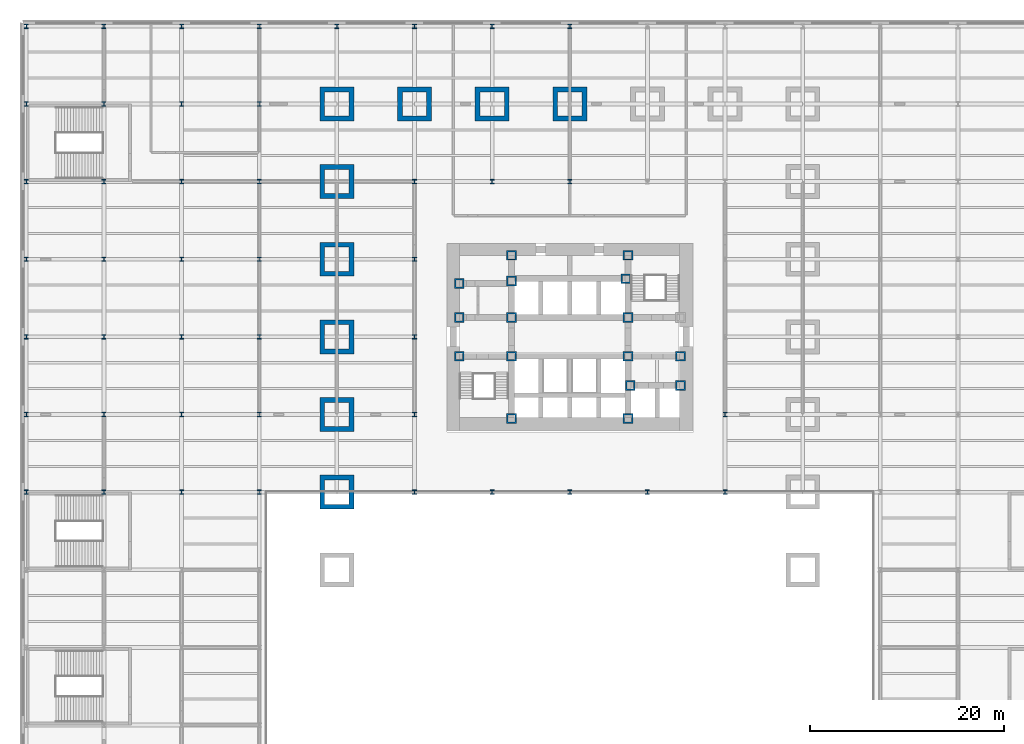
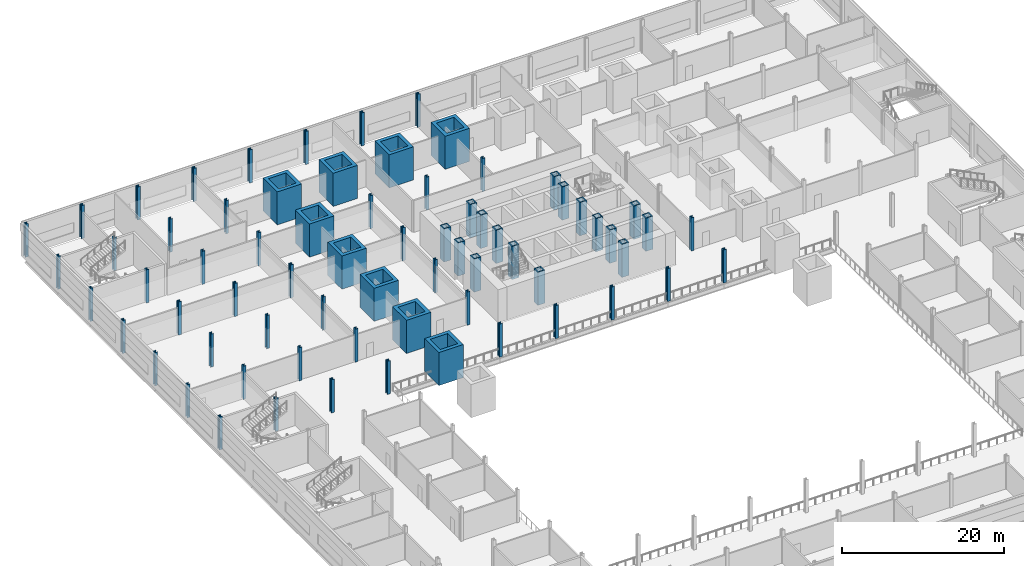
# One storey, part 3 of 18: 69 columns.
"""IFC4 building model written with IfcOpenShell, lengths in metres."""

from ifc_helpers import new_model, si_unit, direction, frame, origin, origin_2d, place, context, subcontext, project, spatial, hollow_rectangle, i_section, extrude, material, material_profile, profile_set, type_object, element, save


model = new_model("IFC4")

# Units and contexts
model_context = context("Model", 3, precision=1e-05, world=origin(), true_north=direction((0.0, 1.0)))
body_context = subcontext(model_context, "Body", "Model", "MODEL_VIEW")
ifc_project = project(units=[si_unit("LENGTHUNIT", "METRE"), si_unit("AREAUNIT", "SQUARE_METRE"), si_unit("VOLUMEUNIT", "CUBIC_METRE"), si_unit("PLANEANGLEUNIT", "RADIAN"), si_unit("MASSUNIT", "GRAM", prefix="KILO")], contexts=[model_context])

# Site, building, storey
site_placement = place(None, origin())
site = spatial("IfcSite", under=ifc_project, at=site_placement, CompositionType="ELEMENT")
building_placement = place(site_placement, origin())
building = spatial("IfcBuilding", under=site, at=building_placement, Name="Daluyong Arena Tower", CompositionType="ELEMENT")
storey_placement = place(building_placement, frame((0.0, 0.0, 4.89990234375)))
storey = spatial("IfcBuildingStorey", under=building, at=storey_placement, Name="L01", CompositionType="ELEMENT", Elevation=4.89990234375)

# Columns
ifc_material_1 = material(Name="Steel ASTM A588 Grade 50", Category="steel")
ifc_material_profile_1 = material_profile(ifc_material_1, hollow_rectangle(XDim=1.0, YDim=1.0, WallThickness=0.15, at=origin_2d()))
ifc_profile_set_1 = profile_set([ifc_material_profile_1], Name="Steel ASTM A588 Grade 50")
column_type_1 = type_object("IfcColumnType", Name="Core boundary column BX1000X150", PredefinedType="COLUMN", material=ifc_profile_set_1)
for number, where, z_axis, x_axis, name in (
    (1, (44.60009765625, 78.0, 0.0), (0.0, 0.0, 1.0), (1.0, 0.0, 0.0), "core boundary column BC1"),
    (2, (44.60009765625, 82.0, 0.0), (0.0, 0.0, 1.0), (1.0, 0.0, 0.0), "core boundary column BC1"),
    (3, (44.60009765625, 85.5, 0.0), (0.0, 0.0, 1.0), (1.0, 0.0, 0.0), "core boundary column BC1"),
    (4, (50.0, 71.60009765625, 0.0), (0.0, 0.0, 1.0), (1.0, 0.0, 0.0), "core boundary column BC1"),
    (5, (50.0, 78.0, 0.0), (0.0, 0.0, 1.0), (1.0, 0.0, 0.0), "core boundary column BC1"),
    (6, (50.0, 82.0, 0.0), (0.0, 0.0, 1.0), (1.0, 0.0, 0.0), "core boundary column BC1"),
    (7, (50.0, 85.75, 0.0), (0.0, 0.0, 1.0), (1.0, 0.0, 0.0), "core boundary column BC1"),
    (8, (50.0, 88.39990234375, 0.0), (0.0, 0.0, 1.0), (1.0, 0.0, 0.0), "core boundary column BC1"),
    (9, (61.77490234375, 86.0, 0.0), (0.0, 0.0, 1.0), (1.0, 0.0, 0.0), "core boundary column BC1"),
    (10, (62.0, 71.60009765625, 0.0), (0.0, 0.0, 1.0), (1.0, 0.0, 0.0), "core boundary column BC1"),
    (11, (62.0, 78.0, 0.0), (0.0, 0.0, 1.0), (1.0, 0.0, 0.0), "core boundary column BC1"),
    (12, (62.0, 82.0, 0.0), (0.0, 0.0, 1.0), (1.0, 0.0, 0.0), "core boundary column BC1"),
    (13, (62.0, 88.39990234375, 0.0), (0.0, 0.0, 1.0), (1.0, 0.0, 0.0), "core boundary column BC1"),
    (14, (62.22509765625, 75.0, 0.0), (0.0, 0.0, 1.0), (1.0, 0.0, 0.0), "core boundary column BC1"),
    (15, (67.39990234375, 75.0, 0.0), (0.0, 0.0, 1.0), (1.0, 0.0, 0.0), "core boundary column BC1"),
    (16, (67.39990234375, 78.0, 0.0), (0.0, 0.0, 1.0), (1.0, 0.0, 0.0), "core boundary column BC1"),
):
    element("IfcColumn", number, at=place(storey_placement, frame(where, z_axis=z_axis, x_axis=x_axis)), inside=storey, type_object=column_type_1, Name=name, PredefinedType="COLUMN", context=body_context, shape_type="SweptSolid", body=[
        extrude(hollow_rectangle(XDim=1.0, YDim=1.0, WallThickness=0.15, at=origin_2d()), origin(), (0.0, 0.0, 1.0), 5.0),
    ])
ifc_material_2 = material(Name="Steel ASTM A913 Grade 65", Category="steel")
ifc_material_profile_2 = material_profile(ifc_material_2, i_section(OverallWidth=0.419189453125, OverallDepth=0.45458984375, WebThickness=0.042236328125, FlangeThickness=0.067626953125, at=origin_2d()))
ifc_profile_set_2 = profile_set([ifc_material_profile_2], Name="Steel ASTM A913 Grade 65")
column_type_2 = type_object("IfcColumnType", Name="Podium column W14X370", PredefinedType="COLUMN", material=ifc_profile_set_2)
for number, where, z_axis, x_axis, name in (
    (17, (0.0, 64.0, 0.0), (0.0, 0.0, 1.0), (1.0, 0.0, 0.0), "podium column PC1"),
    (18, (0.0, 72.0, 0.0), (0.0, 0.0, 1.0), (1.0, 0.0, 0.0), "podium column PC1"),
    (19, (0.0, 80.0, 0.0), (0.0, 0.0, 1.0), (1.0, 0.0, 0.0), "podium column PC1"),
    (20, (0.0, 88.0, 0.0), (0.0, 0.0, 1.0), (1.0, 0.0, 0.0), "podium column PC1"),
    (21, (0.0, 96.0, 0.0), (0.0, 0.0, 1.0), (1.0, 0.0, 0.0), "podium column PC1"),
    (22, (0.0, 104.0, 0.0), (0.0, 0.0, 1.0), (1.0, 0.0, 0.0), "podium column PC1"),
    (23, (0.0, 112.0, 0.0), (0.0, 0.0, 1.0), (1.0, 0.0, 0.0), "podium column PC1"),
    (24, (8.0, 64.0, 0.0), (0.0, 0.0, 1.0), (1.0, 0.0, 0.0), "podium column PC1"),
    (25, (8.0, 72.0, 0.0), (0.0, 0.0, 1.0), (1.0, 0.0, 0.0), "podium column PC1"),
    (26, (8.0, 80.0, 0.0), (0.0, 0.0, 1.0), (1.0, 0.0, 0.0), "podium column PC1"),
    (27, (8.0, 88.0, 0.0), (0.0, 0.0, 1.0), (1.0, 0.0, 0.0), "podium column PC1"),
    (28, (8.0, 96.0, 0.0), (0.0, 0.0, 1.0), (1.0, 0.0, 0.0), "podium column PC1"),
    (29, (8.0, 104.0, 0.0), (0.0, 0.0, 1.0), (1.0, 0.0, 0.0), "podium column PC1"),
    (30, (8.0, 112.0, 0.0), (0.0, 0.0, 1.0), (1.0, 0.0, 0.0), "podium column PC1"),
    (31, (16.0, 64.0, 0.0), (0.0, 0.0, 1.0), (1.0, 0.0, 0.0), "podium column PC1"),
    (32, (16.0, 72.0, 0.0), (0.0, 0.0, 1.0), (1.0, 0.0, 0.0), "podium column PC1"),
    (33, (16.0, 80.0, 0.0), (0.0, 0.0, 1.0), (1.0, 0.0, 0.0), "podium column PC1"),
    (34, (16.0, 88.0, 0.0), (0.0, 0.0, 1.0), (1.0, 0.0, 0.0), "podium column PC1"),
    (35, (16.0, 96.0, 0.0), (0.0, 0.0, 1.0), (1.0, 0.0, 0.0), "podium column PC1"),
    (36, (16.0, 104.0, 0.0), (0.0, 0.0, 1.0), (1.0, 0.0, 0.0), "podium column PC1"),
    (37, (16.0, 112.0, 0.0), (0.0, 0.0, 1.0), (1.0, 0.0, 0.0), "podium column PC1"),
    (38, (24.0, 64.0, 0.0), (0.0, 0.0, 1.0), (1.0, 0.0, 0.0), "podium column PC1"),
    (39, (24.0, 72.0, 0.0), (0.0, 0.0, 1.0), (1.0, 0.0, 0.0), "podium column PC1"),
    (40, (24.0, 80.0, 0.0), (0.0, 0.0, 1.0), (1.0, 0.0, 0.0), "podium column PC1"),
    (41, (24.0, 88.0, 0.0), (0.0, 0.0, 1.0), (1.0, 0.0, 0.0), "podium column PC1"),
    (42, (24.0, 96.0, 0.0), (0.0, 0.0, 1.0), (1.0, 0.0, 0.0), "podium column PC1"),
    (43, (24.0, 104.0, 0.0), (0.0, 0.0, 1.0), (1.0, 0.0, 0.0), "podium column PC1"),
    (44, (24.0, 112.0, 0.0), (0.0, 0.0, 1.0), (1.0, 0.0, 0.0), "podium column PC1"),
    (45, (32.0, 112.0, 0.0), (0.0, 0.0, 1.0), (1.0, 0.0, 0.0), "podium column PC1"),
    (46, (40.0, 64.0, 0.0), (0.0, 0.0, 1.0), (1.0, 0.0, 0.0), "podium column PC1"),
    (47, (40.0, 72.0, 0.0), (0.0, 0.0, 1.0), (1.0, 0.0, 0.0), "podium column PC1"),
    (48, (40.0, 80.0, 0.0), (0.0, 0.0, 1.0), (1.0, 0.0, 0.0), "podium column PC1"),
    (49, (40.0, 88.0, 0.0), (0.0, 0.0, 1.0), (1.0, 0.0, 0.0), "podium column PC1"),
    (50, (40.0, 96.0, 0.0), (0.0, 0.0, 1.0), (1.0, 0.0, 0.0), "podium column PC1"),
    (51, (40.0, 112.0, 0.0), (0.0, 0.0, 1.0), (1.0, 0.0, 0.0), "podium column PC1"),
    (52, (48.0, 64.0, 0.0), (0.0, 0.0, 1.0), (1.0, 0.0, 0.0), "podium column PC1"),
    (53, (48.0, 96.0, 0.0), (0.0, 0.0, 1.0), (1.0, 0.0, 0.0), "podium column PC1"),
    (54, (48.0, 112.0, 0.0), (0.0, 0.0, 1.0), (1.0, 0.0, 0.0), "podium column PC1"),
    (55, (56.0, 64.0, 0.0), (0.0, 0.0, 1.0), (1.0, 0.0, 0.0), "podium column PC1"),
    (56, (56.0, 96.0, 0.0), (0.0, 0.0, 1.0), (1.0, 0.0, 0.0), "podium column PC1"),
    (57, (56.0, 112.0, 0.0), (0.0, 0.0, 1.0), (1.0, 0.0, 0.0), "podium column PC1"),
    (58, (64.0, 64.0, 0.0), (0.0, 0.0, 1.0), (1.0, 0.0, 0.0), "podium column PC1"),
    (59, (72.0, 64.0, 0.0), (0.0, 0.0, 1.0), (1.0, 0.0, 0.0), "podium column PC1"),
    (60, (72.0, 72.0, 0.0), (0.0, 0.0, 1.0), (1.0, 0.0, 0.0), "podium column PC1"),
):
    element("IfcColumn", number, at=place(storey_placement, frame(where, z_axis=z_axis, x_axis=x_axis)), inside=storey, type_object=column_type_2, Name=name, PredefinedType="COLUMN", context=body_context, shape_type="SweptSolid", body=[
        extrude(i_section(OverallWidth=0.419189453125, OverallDepth=0.45458984375, WebThickness=0.042236328125, FlangeThickness=0.067626953125, at=origin_2d()), origin(), (0.0, 0.0, 1.0), 5.0),
    ])
ifc_material_3 = material(Name="Steel ASTM A36", Category="steel")
ifc_material_profile_3 = material_profile(ifc_material_3, hollow_rectangle(XDim=3.5, YDim=3.5, WallThickness=0.5, at=origin_2d()))
ifc_profile_set_3 = profile_set([ifc_material_profile_3], Name="Steel ASTM A36")
column_type_3 = type_object("IfcColumnType", Name="Podium megacolumn BX3500X500", PredefinedType="COLUMN", material=ifc_profile_set_3)
for number, where, z_axis, x_axis, name in (
    (61, (32.0, 64.0, 0.0), (0.0, 0.0, 1.0), (1.0, 0.0, 0.0), "podium megacolumn MC1"),
    (62, (32.0, 72.0, 0.0), (0.0, 0.0, 1.0), (1.0, 0.0, 0.0), "podium megacolumn MC1"),
    (63, (32.0, 80.0, 0.0), (0.0, 0.0, 1.0), (1.0, 0.0, 0.0), "podium megacolumn MC1"),
    (64, (32.0, 88.0, 0.0), (0.0, 0.0, 1.0), (1.0, 0.0, 0.0), "podium megacolumn MC1"),
    (65, (32.0, 96.0, 0.0), (0.0, 0.0, 1.0), (1.0, 0.0, 0.0), "podium megacolumn MC1"),
    (66, (32.0, 104.0, 0.0), (0.0, 0.0, 1.0), (1.0, 0.0, 0.0), "podium megacolumn MC1"),
    (67, (40.0, 104.0, 0.0), (0.0, 0.0, 1.0), (1.0, 0.0, 0.0), "podium megacolumn MC1"),
    (68, (48.0, 104.0, 0.0), (0.0, 0.0, 1.0), (1.0, 0.0, 0.0), "podium megacolumn MC1"),
    (69, (56.0, 104.0, 0.0), (0.0, 0.0, 1.0), (1.0, 0.0, 0.0), "podium megacolumn MC1"),
):
    element("IfcColumn", number, at=place(storey_placement, frame(where, z_axis=z_axis, x_axis=x_axis)), inside=storey, type_object=column_type_3, Name=name, PredefinedType="COLUMN", context=body_context, shape_type="SweptSolid", body=[
        extrude(hollow_rectangle(XDim=3.5, YDim=3.5, WallThickness=0.5, at=origin_2d()), origin(), (0.0, 0.0, 1.0), 5.0),
    ])

save(model, "model.ifc")
